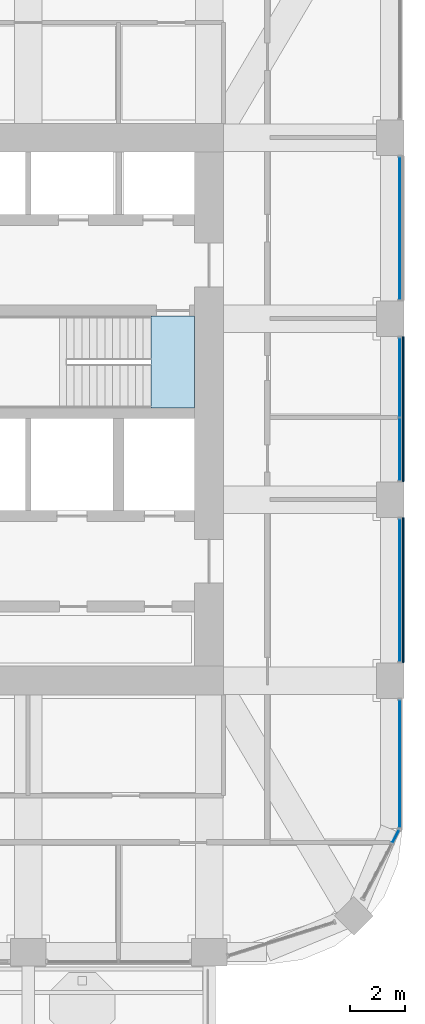
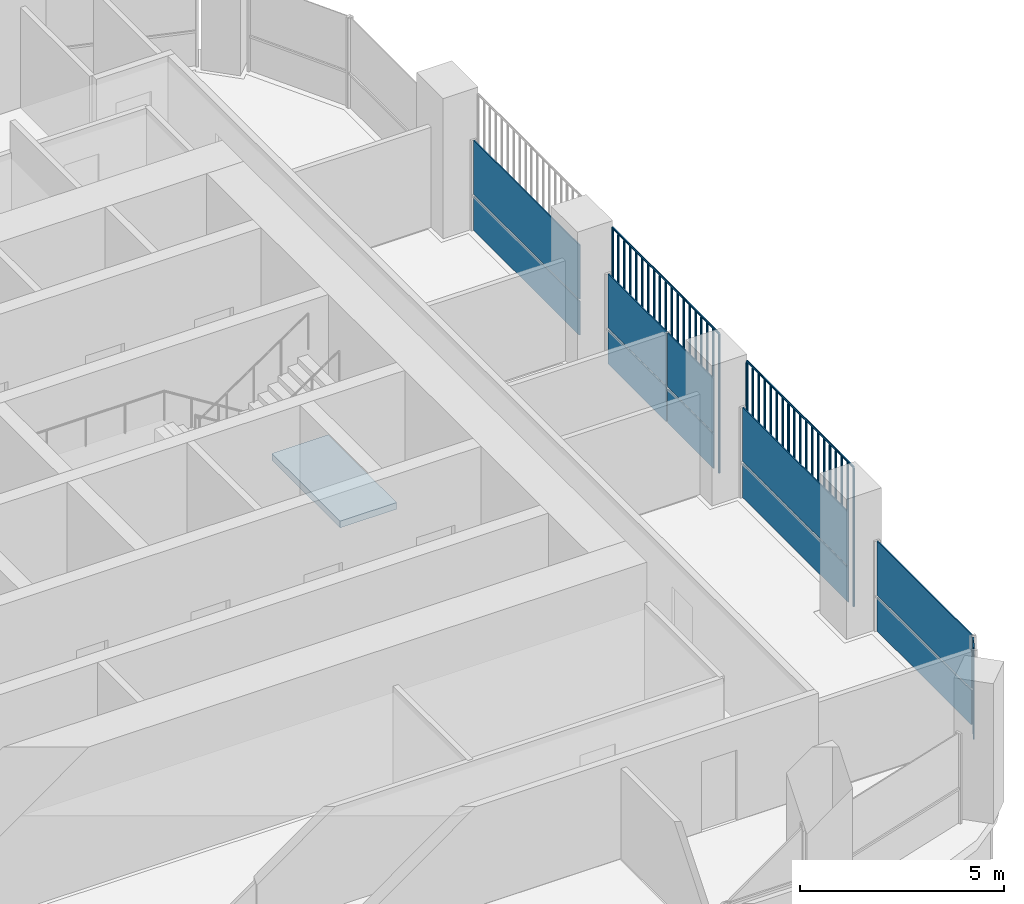
# One storey, part 11 of 21: 14 plates, 1 slab, 6 elements without a shape of their own.
"""IFC4 building model written with IfcOpenShell, lengths in metres."""

import ifcopenshell
import ifcopenshell.guid

model = None  # the IFC model being written
_history = None  # IfcOwnerHistory: only IFC2X3 demands one
_inside = {}  # id of a spatial element -> (the spatial element, [elements in it])
_under = {}  # id of a project, library or spatial element -> (it, [spatial elements below it])
_declared = {}  # id of a project -> (the project, [libraries it declares])
_typed = {}  # id of a type object -> (the type object, [elements of that type])
_made_of = {}  # id of a material, layer set ... -> (it, [elements and type objects made of it])


def new_model(schema):
    """Start an empty IFC model of exactly this schema.

    Asked for "IFC4X3", IfcOpenShell would pick the latest addendum, in which some entities
    have other attributes; the version numbers below select the first issue.
    IFC2X3 requires an IfcOwnerHistory on every rooted entity: one is made here for all.
    """
    global model, _history
    if schema == "IFC4X3":
        model = ifcopenshell.file(schema_version=(4, 3, 0, 0))
    else:
        model = ifcopenshell.file(schema=schema)
    _inside.clear()
    _under.clear()
    _declared.clear()
    _typed.clear()
    _made_of.clear()
    _history = None
    if model.schema == "IFC2X3":
        org = make("IfcOrganization", Name="unknown")
        user = make(
            "IfcPersonAndOrganization",
            ThePerson=make("IfcPerson", FamilyName="unknown"),
            TheOrganization=org,
        )
        app = make(
            "IfcApplication",
            ApplicationDeveloper=org,
            Version="unknown",
            ApplicationFullName="unknown",
            ApplicationIdentifier="unknown",
        )
        _history = make(
            "IfcOwnerHistory",
            OwningUser=user,
            OwningApplication=app,
            ChangeAction="ADDED",
            CreationDate=0,
        )
    return model


def make(cls, **values):
    """One entity of the class cls with the attributes given. An attribute that is None is left unset."""
    return model.create_entity(
        cls, **{name: value for name, value in values.items() if value is not None}
    )


def rooted(cls, **values):
    """An entity with a GlobalId (a new one), such as an element, a storey or a relation."""
    return make(cls, GlobalId=ifcopenshell.guid.new(), OwnerHistory=_history, **values)


def si_unit(unit_type, name, prefix=None):
    """IfcSIUnit, for example si_unit("LENGTHUNIT", "METRE", prefix="MILLI")."""
    return make("IfcSIUnit", UnitType=unit_type, Prefix=prefix, Name=name)


def assignment(units):
    """IfcUnitAssignment: the units of a project."""
    return None if units is None else make("IfcUnitAssignment", Units=units)


def point(xyz):
    """IfcCartesianPoint."""
    return None if xyz is None else make("IfcCartesianPoint", Coordinates=xyz)


def direction(xyz):
    """IfcDirection."""
    return None if xyz is None else make("IfcDirection", DirectionRatios=xyz)


def frame(location, z_axis=None, x_axis=None):
    """IfcAxis2Placement3D, a coordinate frame: its origin and axes. An axis left out is left unset."""
    return make(
        "IfcAxis2Placement3D",
        Location=point(location),
        Axis=direction(z_axis),
        RefDirection=direction(x_axis),
    )


def frame_2d(location, x_axis=None):
    """IfcAxis2Placement2D, a coordinate frame in the plane: its origin and x axis."""
    return make(
        "IfcAxis2Placement2D", Location=point(location), RefDirection=direction(x_axis)
    )


def origin():
    """The frame at (0, 0, 0) with its axes left unset."""
    return frame((0.0, 0.0, 0.0))


def origin_2d():
    """The frame at (0, 0) in the plane with its x axis left unset."""
    return frame_2d((0.0, 0.0))


def place(relative_to, where):
    """IfcLocalPlacement: puts the frame where relative to a parent placement (None: the world)."""
    return make(
        "IfcLocalPlacement", PlacementRelTo=relative_to, RelativePlacement=where
    )


def context(
    kind, dimensions, precision=None, world=None, true_north=None, identifier=None
):
    """IfcGeometricRepresentationContext, for example the 3D "Model" context."""
    return make(
        "IfcGeometricRepresentationContext",
        ContextIdentifier=identifier,
        ContextType=kind,
        CoordinateSpaceDimension=dimensions,
        Precision=precision,
        WorldCoordinateSystem=world,
        TrueNorth=true_north,
    )


def subcontext(parent, identifier, kind, view, scale=None):
    """IfcGeometricRepresentationSubContext, for example "Body" below "Model"."""
    return make(
        "IfcGeometricRepresentationSubContext",
        ContextIdentifier=identifier,
        ContextType=kind,
        ParentContext=parent,
        TargetScale=scale,
        TargetView=view,
    )


def project(units=None, contexts=None):
    """IfcProject with its units and contexts."""
    return rooted(
        "IfcProject",
        Name="project",
        RepresentationContexts=contexts,
        UnitsInContext=assignment(units),
    )


def spatial(cls, under=None, at=None, **own):
    """A site, building, storey or space (cls), placed at a placement, below another one or the project."""
    s = rooted(cls, ObjectPlacement=at, **own)
    if under is not None:
        _under.setdefault(under.id(), (under, []))[1].append(s)
    return s


def polyline(points):
    """IfcPolyline through the points."""
    return make("IfcPolyline", Points=[point(p) for p in points])


def profile(cls, at=None, kind="AREA", **sizes):
    """A parametric profile (cls). Its sizes go by their IFC names, for example OverallWidth=200.0."""
    return make(cls, ProfileType=kind, Position=at, **sizes)


def rectangle(**sizes):
    """IfcRectangleProfileDef."""
    return profile("IfcRectangleProfileDef", **sizes)


def outline(outer, holes=None, kind="AREA"):
    """IfcArbitraryClosedProfileDef: a profile drawn as a closed curve; with holes, ...WithVoids."""
    if holes is None:
        return make("IfcArbitraryClosedProfileDef", ProfileType=kind, OuterCurve=outer)
    return make(
        "IfcArbitraryProfileDefWithVoids",
        ProfileType=kind,
        OuterCurve=outer,
        InnerCurves=holes,
    )


def extrude(swept, where, along, depth):
    """IfcExtrudedAreaSolid: the profile swept, set in the frame where, extruded along a direction by depth."""
    return make(
        "IfcExtrudedAreaSolid",
        SweptArea=swept,
        Position=where,
        ExtrudedDirection=direction(along),
        Depth=depth,
    )


def shape(context_of_items, identifier, shape_type, items):
    """IfcShapeRepresentation: the items that make up one representation, for example the "Body"."""
    return make(
        "IfcShapeRepresentation",
        ContextOfItems=context_of_items,
        RepresentationIdentifier=identifier,
        RepresentationType=shape_type,
        Items=items,
    )


def material(Name=None, Category=None):
    """IfcMaterial."""
    return make("IfcMaterial", Name=Name, Category=Category)


def layer(
    of_material, thickness, ventilated=None, Name=None, Category=None, Priority=None
):
    """IfcMaterialLayer: one layer of a wall or slab, of a material (None: an air gap)."""
    return make(
        "IfcMaterialLayer",
        Material=of_material,
        LayerThickness=thickness,
        IsVentilated=ventilated,
        Name=Name,
        Category=Category,
        Priority=Priority,
    )


def layer_set(layers, Name=None):
    """IfcMaterialLayerSet."""
    return make("IfcMaterialLayerSet", MaterialLayers=layers, LayerSetName=Name)


def made_of(thing, what):
    """Note that an element or type object is made of a material, layer set ...; save() writes the relation."""
    if what is not None:
        _made_of.setdefault(what.id(), (what, []))[1].append(thing)
    return thing


def type_object(cls, material=None, **own):
    """A type object (cls), such as IfcWallType, which elements share."""
    return made_of(rooted(cls, **own), material)


def element(
    cls,
    number,
    at=None,
    inside=None,
    cuts=None,
    type_object=None,
    material=None,
    context=None,
    identifier="Body",
    shape_type=None,
    held_by="IfcProductDefinitionShape",
    body=None,
    shapes=None,
    **own,
):
    """One element of the class cls, such as IfcWall. Its Tag is "e" and its number.

    at: its placement. inside: the storey or other place that contains it. cuts: it is an
    opening in that element (IfcRelVoidsElement). A single representation is given by context,
    identifier, shape_type and body (its items); several are given by shapes. held_by: the class
    of the entity that holds the representations. save() writes the other relations.
    """
    e = rooted(cls, Tag="e%d" % number, ObjectPlacement=at, **own)
    if body is not None:
        shapes = [shape(context, identifier, shape_type, body)]
    if shapes is not None:
        e.Representation = make(held_by, Representations=shapes)
    if inside is not None:
        _inside.setdefault(inside.id(), (inside, []))[1].append(e)
    if cuts is not None:
        rooted(
            "IfcRelVoidsElement", RelatingBuildingElement=cuts, RelatedOpeningElement=e
        )
    if type_object is not None:
        _typed.setdefault(type_object.id(), (type_object, []))[1].append(e)
    return made_of(e, material)


def aggregate(whole, parts):
    """IfcRelAggregates: a whole, such as a stair, and the parts it consists of."""
    return rooted("IfcRelAggregates", RelatingObject=whole, RelatedObjects=parts)


def save(model, path):
    """Write the relations noted so far, then the file.

    IfcRelAggregates (storeys below a building ...), IfcRelContainedInSpatialStructure (elements
    in a storey), IfcRelDefinesByType, IfcRelAssociatesMaterial and IfcRelDeclares: one each for
    every whole, place, type object, material and project.
    """
    for whole, parts in _under.values():
        aggregate(whole, parts)
    for where, things in _inside.values():
        rooted(
            "IfcRelContainedInSpatialStructure",
            RelatedElements=things,
            RelatingStructure=where,
        )
    for kind, things in _typed.values():
        rooted("IfcRelDefinesByType", RelatedObjects=things, RelatingType=kind)
    for what, things in _made_of.values():
        rooted("IfcRelAssociatesMaterial", RelatedObjects=things, RelatingMaterial=what)
    for by, libraries in _declared.values():
        rooted("IfcRelDeclares", RelatingContext=by, RelatedDefinitions=libraries)
    model.write(path)


model = new_model("IFC4")

# Units and contexts
model_context = context("Model", 3, precision=1e-05, world=origin(), true_north=direction((0.0, 1.0)))
body_context = subcontext(model_context, "Body", "Model", "MODEL_VIEW")
ifc_project = project(units=[si_unit("LENGTHUNIT", "METRE"), si_unit("AREAUNIT", "SQUARE_METRE"), si_unit("VOLUMEUNIT", "CUBIC_METRE"), si_unit("PLANEANGLEUNIT", "RADIAN"), si_unit("MASSUNIT", "GRAM", prefix="KILO")], contexts=[model_context])

# Site, building, storey
site_placement = place(None, origin())
site = spatial("IfcSite", under=ifc_project, at=site_placement, CompositionType="ELEMENT")
building_placement = place(site_placement, origin())
building = spatial("IfcBuilding", under=site, at=building_placement, Name="Cobogo Forest Laboratory Tower", CompositionType="ELEMENT")
storey_placement = place(building_placement, frame((0.0, 0.0, 241.800048828125)))
storey = spatial("IfcBuildingStorey", under=building, at=storey_placement, Name="L55", CompositionType="ELEMENT", Elevation=241.800048828125)

# Curtain wall, plates
ifc_material_1 = material(Name="Aluminium curtain wall", Category="aluminium")
curtain_wall_type = type_object("IfcCurtainWallType", Name="CW-2 unitised curtain wall, solar control glazing, laboratory floors zones C and D", PredefinedType="USERDEFINED", material=ifc_material_1)
curtain_wall_1_placement = place(storey_placement, origin())
curtain_wall_1 = element("IfcCurtainWall", 1, at=curtain_wall_1_placement, inside=storey, type_object=curtain_wall_type, Name="Curtain wall 06 L55", ObjectType="UNITISED CURTAIN WALL", PredefinedType="USERDEFINED")
ifc_material_2 = material(Name="Solar control insulated glass", Category="glass")
ifc_layer_1 = layer(ifc_material_2, 0.031982421875)
ifc_layer_set_1 = layer_set([ifc_layer_1], Name="GP-2 solar control glass unit 32")
plate_type_1 = type_object("IfcPlateType", Name="GP-2 solar control glass unit 32", PredefinedType="CURTAIN_PANEL", material=ifc_layer_set_1)
plate_1_placement = place(storey_placement, frame((46.40234375, 7.51806640625, 0.0), z_axis=(0.0, 0.0, 1.0), x_axis=(0.464283791352, 0.885686491422, 0.0)))
plate_1 = element("IfcPlate", 2, at=plate_1_placement, type_object=plate_type_1, Name="CW-2 panel 2.1", PredefinedType="CURTAIN_PANEL", context=body_context, shape_type="SweptSolid", body=[
    extrude(rectangle(XDim=0.516357421875, YDim=0.031982421875, at=origin_2d()), origin(), (0.0, 0.0, 1.0), 1.02001953125),
])
plate_2_placement = place(storey_placement, frame((46.40234375, 7.51806640625, 1.079833984375), z_axis=(0.0, 0.0, 1.0), x_axis=(0.464283791352, 0.885686491422, 0.0)))
plate_2 = element("IfcPlate", 3, at=plate_2_placement, type_object=plate_type_1, Name="CW-2 panel 2.2", PredefinedType="CURTAIN_PANEL", context=body_context, shape_type="SweptSolid", body=[
    extrude(rectangle(XDim=0.516357421875, YDim=0.031982421875, at=origin_2d()), origin(), (0.0, 0.0, 1.0), 1.6201171875),
])
aggregate(curtain_wall_1, [plate_1, plate_2])

curtain_wall_2_placement = place(storey_placement, origin())
curtain_wall_2 = element("IfcCurtainWall", 4, at=curtain_wall_2_placement, inside=storey, type_object=curtain_wall_type, Name="Curtain wall 07 L55", ObjectType="UNITISED CURTAIN WALL", PredefinedType="USERDEFINED")
plate_3_placement = place(storey_placement, frame((46.550048828125, 10.175048828125, 0.0), z_axis=(0.0, 0.0, 1.0), x_axis=(0.0, 1.0, 0.0)))
plate_3 = element("IfcPlate", 5, at=plate_3_placement, type_object=plate_type_1, Name="CW-2 panel 1.1", PredefinedType="CURTAIN_PANEL", context=body_context, shape_type="SweptSolid", body=[
    extrude(rectangle(XDim=4.6298828125, YDim=0.031982421875, at=origin_2d()), origin(), (0.0, 0.0, 1.0), 1.02001953125),
])
plate_4_placement = place(storey_placement, frame((46.550048828125, 10.175048828125, 1.079833984375), z_axis=(0.0, 0.0, 1.0), x_axis=(0.0, 1.0, 0.0)))
plate_4 = element("IfcPlate", 6, at=plate_4_placement, type_object=plate_type_1, Name="CW-2 panel 1.2", PredefinedType="CURTAIN_PANEL", context=body_context, shape_type="SweptSolid", body=[
    extrude(rectangle(XDim=4.6298828125, YDim=0.031982421875, at=origin_2d()), origin(), (0.0, 0.0, 1.0), 1.6201171875),
])
aggregate(curtain_wall_2, [plate_3, plate_4])

curtain_wall_3_placement = place(storey_placement, origin())
curtain_wall_3 = element("IfcCurtainWall", 7, at=curtain_wall_3_placement, inside=storey, type_object=curtain_wall_type, Name="Curtain wall 08 L55", ObjectType="UNITISED CURTAIN WALL", PredefinedType="USERDEFINED")
plate_5_placement = place(storey_placement, frame((46.550048828125, 16.5, 0.0), z_axis=(0.0, 0.0, 1.0), x_axis=(0.0, 1.0, 0.0)))
plate_5 = element("IfcPlate", 8, at=plate_5_placement, type_object=plate_type_1, Name="CW-2 panel 1.1", PredefinedType="CURTAIN_PANEL", context=body_context, shape_type="SweptSolid", body=[
    extrude(rectangle(XDim=5.179931640625, YDim=0.031982421875, at=origin_2d()), origin(), (0.0, 0.0, 1.0), 1.02001953125),
])
plate_6_placement = place(storey_placement, frame((46.550048828125, 16.5, 1.079833984375), z_axis=(0.0, 0.0, 1.0), x_axis=(0.0, 1.0, 0.0)))
plate_6 = element("IfcPlate", 9, at=plate_6_placement, type_object=plate_type_1, Name="CW-2 panel 1.2", PredefinedType="CURTAIN_PANEL", context=body_context, shape_type="SweptSolid", body=[
    extrude(rectangle(XDim=5.179931640625, YDim=0.031982421875, at=origin_2d()), origin(), (0.0, 0.0, 1.0), 1.6201171875),
])
aggregate(curtain_wall_3, [plate_5, plate_6])

curtain_wall_4_placement = place(storey_placement, origin())
curtain_wall_4 = element("IfcCurtainWall", 10, at=curtain_wall_4_placement, inside=storey, type_object=curtain_wall_type, Name="Curtain wall 09 L55", ObjectType="UNITISED CURTAIN WALL", PredefinedType="USERDEFINED")
plate_7_placement = place(storey_placement, frame((46.550048828125, 21.639892578125, 0.0), z_axis=(0.0, 0.0, 1.0), x_axis=(0.0, 1.0, 0.0)))
plate_7 = element("IfcPlate", 11, at=plate_7_placement, type_object=plate_type_1, Name="CW-2 panel 1.1", PredefinedType="CURTAIN_PANEL", context=body_context, shape_type="SweptSolid", body=[
    extrude(rectangle(XDim=2.260009765625, YDim=0.031982421875, at=origin_2d()), origin(), (0.0, 0.0, 1.0), 1.02001953125),
])
plate_8_placement = place(storey_placement, frame((46.550048828125, 21.639892578125, 1.079833984375), z_axis=(0.0, 0.0, 1.0), x_axis=(0.0, 1.0, 0.0)))
plate_8 = element("IfcPlate", 12, at=plate_8_placement, type_object=plate_type_1, Name="CW-2 panel 1.2", PredefinedType="CURTAIN_PANEL", context=body_context, shape_type="SweptSolid", body=[
    extrude(rectangle(XDim=2.260009765625, YDim=0.031982421875, at=origin_2d()), origin(), (0.0, 0.0, 1.0), 1.6201171875),
])
plate_9_placement = place(storey_placement, frame((46.550048828125, 24.260009765625, 0.0), z_axis=(0.0, 0.0, 1.0), x_axis=(0.0, 1.0, 0.0)))
plate_9 = element("IfcPlate", 13, at=plate_9_placement, type_object=plate_type_1, Name="CW-2 panel 2.1", PredefinedType="CURTAIN_PANEL", context=body_context, shape_type="SweptSolid", body=[
    extrude(rectangle(XDim=2.860107421875, YDim=0.031982421875, at=origin_2d()), origin(), (0.0, 0.0, 1.0), 1.02001953125),
])
plate_10_placement = place(storey_placement, frame((46.550048828125, 24.260009765625, 1.079833984375), z_axis=(0.0, 0.0, 1.0), x_axis=(0.0, 1.0, 0.0)))
plate_10 = element("IfcPlate", 14, at=plate_10_placement, type_object=plate_type_1, Name="CW-2 panel 2.2", PredefinedType="CURTAIN_PANEL", context=body_context, shape_type="SweptSolid", body=[
    extrude(rectangle(XDim=2.860107421875, YDim=0.031982421875, at=origin_2d()), origin(), (0.0, 0.0, 1.0), 1.6201171875),
])
aggregate(curtain_wall_4, [plate_7, plate_8, plate_9, plate_10])

curtain_wall_5_placement = place(storey_placement, origin())
curtain_wall_5 = element("IfcCurtainWall", 15, at=curtain_wall_5_placement, inside=storey, type_object=curtain_wall_type, Name="Curtain wall 10 L55", ObjectType="UNITISED CURTAIN WALL", PredefinedType="USERDEFINED")
plate_11_placement = place(storey_placement, frame((46.550048828125, 29.699951171875, 0.0), z_axis=(0.0, 0.0, 1.0), x_axis=(0.0, 1.0, 0.0)))
plate_11 = element("IfcPlate", 16, at=plate_11_placement, type_object=plate_type_1, Name="CW-2 panel 1.1", PredefinedType="CURTAIN_PANEL", context=body_context, shape_type="SweptSolid", body=[
    extrude(rectangle(XDim=5.179931640625, YDim=0.031982421875, at=origin_2d()), origin(), (0.0, 0.0, 1.0), 1.02001953125),
])
plate_12_placement = place(storey_placement, frame((46.550048828125, 29.699951171875, 1.079833984375), z_axis=(0.0, 0.0, 1.0), x_axis=(0.0, 1.0, 0.0)))
plate_12 = element("IfcPlate", 17, at=plate_12_placement, type_object=plate_type_1, Name="CW-2 panel 1.2", PredefinedType="CURTAIN_PANEL", context=body_context, shape_type="SweptSolid", body=[
    extrude(rectangle(XDim=5.179931640625, YDim=0.031982421875, at=origin_2d()), origin(), (0.0, 0.0, 1.0), 1.6201171875),
])
aggregate(curtain_wall_5, [plate_11, plate_12])

# Stair, slab
ifc_material_3 = material(Name="Precast concrete HA-40 (C40/50)", Category="concrete")
stair_type = type_object("IfcStairType", Name="ST24 exit stair 24 risers", PredefinedType="HALF_TURN_STAIR", material=ifc_material_3)
stair_placement = place(storey_placement, origin())
stair = element("IfcStair", 18, at=stair_placement, inside=storey, type_object=stair_type, Name="Stair 2 L55 to L56", PredefinedType="HALF_TURN_STAIR")
ifc_material_4 = material(Name="Concrete HA-40 (C40/50)", Category="concrete")
ifc_layer_2 = layer(ifc_material_4, 0.199951171875)
ifc_layer_set_2 = layer_set([ifc_layer_2], Name="SL stair landing 200")
slab_type = type_object("IfcSlabType", Name="SL stair landing 200", PredefinedType="LANDING", material=ifc_layer_set_2)
slab_placement = place(storey_placement, frame((0.0, 0.0, -0.199951171875)))
slab = element("IfcSlab", 19, at=slab_placement, type_object=slab_type, Name="ST2 landing 1", PredefinedType="LANDING", context=body_context, shape_type="SweptSolid", body=[
    extrude(outline(polyline([(37.472900390625, 23.14990234375), (39.074951171875, 23.14990234375), (39.074951171875, 26.5), (37.472900390625, 26.5), (37.472900390625, 23.14990234375)])), origin(), (0.0, 0.0, 1.0), 0.199951171875),
])
aggregate(stair, [slab])

# Plates
ifc_material_5 = material(Name="Terracotta", Category="masonry")
plate_type_2 = type_object("IfcPlateType", Name="TB1 terracotta baguette screen", PredefinedType="USERDEFINED", material=ifc_material_5)
plate_13_placement = place(storey_placement, frame((46.677978515625, 13.88134765625, -0.150146484375)))
element("IfcPlate", 20, at=plate_13_placement, inside=storey, type_object=plate_type_2, Name="Baguette screen E1 L55", ObjectType="BAGUETTE SCREEN", PredefinedType="USERDEFINED", context=body_context, shape_type="SweptSolid", body=[
    extrude(outline(polyline([(0.02880859375, 0.011962890625), (0.011962890625, 0.02880859375), (-0.011962890625, 0.02880859375), (-0.02880859375, 0.011962890625), (-0.02880859375, -0.011962890625), (-0.011962890625, -0.02880859375), (0.011962890625, -0.02880859375), (0.02880859375, -0.011962890625), (0.02880859375, 0.011962890625)])), frame((0.0, 0.0, 4.168701171875), z_axis=(0.0, 1.0, 0.0), x_axis=(-1.0, 0.0, 0.0)), (0.0, 0.0, 1.0), 5.2373046875),
    extrude(outline(polyline([(0.02880859375, 0.011962890625), (0.011962890625, 0.02880859375), (-0.011962890625, 0.02880859375), (-0.02880859375, 0.011962890625), (-0.02880859375, -0.011962890625), (-0.011962890625, -0.02880859375), (0.011962890625, -0.02880859375), (0.02880859375, -0.011962890625), (0.02880859375, 0.011962890625)])), origin(), (0.0, 0.0, 1.0), 4.137451171875),
    extrude(outline(polyline([(0.02880859375, 0.011962890625), (0.011962890625, 0.02880859375), (-0.011962890625, 0.02880859375), (-0.02880859375, 0.011962890625), (-0.02880859375, -0.011962890625), (-0.011962890625, -0.02880859375), (0.011962890625, -0.02880859375), (0.02880859375, -0.011962890625), (0.02880859375, 0.011962890625)])), frame((0.0, 0.291015625, 0.0)), (0.0, 0.0, 1.0), 4.137451171875),
    extrude(outline(polyline([(0.02880859375, 0.011962890625), (0.011962890625, 0.02880859375), (-0.011962890625, 0.02880859375), (-0.02880859375, 0.011962890625), (-0.02880859375, -0.011962890625), (-0.011962890625, -0.02880859375), (0.011962890625, -0.02880859375), (0.02880859375, -0.011962890625), (0.02880859375, 0.011962890625)])), frame((0.0, 0.58203125, 0.0)), (0.0, 0.0, 1.0), 4.137451171875),
    extrude(outline(polyline([(0.02880859375, 0.011962890625), (0.011962890625, 0.02880859375), (-0.011962890625, 0.02880859375), (-0.02880859375, 0.011962890625), (-0.02880859375, -0.011962890625), (-0.011962890625, -0.02880859375), (0.011962890625, -0.02880859375), (0.02880859375, -0.011962890625), (0.02880859375, 0.011962890625)])), frame((0.0, 0.872802734375, 0.0)), (0.0, 0.0, 1.0), 4.137451171875),
    extrude(outline(polyline([(0.02880859375, 0.011962890625), (0.011962890625, 0.02880859375), (-0.011962890625, 0.02880859375), (-0.02880859375, 0.011962890625), (-0.02880859375, -0.011962890625), (-0.011962890625, -0.02880859375), (0.011962890625, -0.02880859375), (0.02880859375, -0.011962890625), (0.02880859375, 0.011962890625)])), frame((0.0, 1.163818359375, 0.0)), (0.0, 0.0, 1.0), 4.137451171875),
    extrude(outline(polyline([(0.02880859375, 0.011962890625), (0.011962890625, 0.02880859375), (-0.011962890625, 0.02880859375), (-0.02880859375, 0.011962890625), (-0.02880859375, -0.011962890625), (-0.011962890625, -0.02880859375), (0.011962890625, -0.02880859375), (0.02880859375, -0.011962890625), (0.02880859375, 0.011962890625)])), frame((0.0, 1.454833984375, 0.0)), (0.0, 0.0, 1.0), 4.137451171875),
    extrude(outline(polyline([(0.02880859375, 0.011962890625), (0.011962890625, 0.02880859375), (-0.011962890625, 0.02880859375), (-0.02880859375, 0.011962890625), (-0.02880859375, -0.011962890625), (-0.011962890625, -0.02880859375), (0.011962890625, -0.02880859375), (0.02880859375, -0.011962890625), (0.02880859375, 0.011962890625)])), frame((0.0, 1.745849609375, 0.0)), (0.0, 0.0, 1.0), 4.137451171875),
    extrude(outline(polyline([(0.02880859375, 0.011962890625), (0.011962890625, 0.02880859375), (-0.011962890625, 0.02880859375), (-0.02880859375, 0.011962890625), (-0.02880859375, -0.011962890625), (-0.011962890625, -0.02880859375), (0.011962890625, -0.02880859375), (0.02880859375, -0.011962890625), (0.02880859375, 0.011962890625)])), frame((0.0, 2.03662109375, 0.0)), (0.0, 0.0, 1.0), 4.137451171875),
    extrude(outline(polyline([(0.02880859375, 0.011962890625), (0.011962890625, 0.02880859375), (-0.011962890625, 0.02880859375), (-0.02880859375, 0.011962890625), (-0.02880859375, -0.011962890625), (-0.011962890625, -0.02880859375), (0.011962890625, -0.02880859375), (0.02880859375, -0.011962890625), (0.02880859375, 0.011962890625)])), frame((0.0, 2.32763671875, 0.0)), (0.0, 0.0, 1.0), 4.137451171875),
    extrude(outline(polyline([(0.02880859375, 0.011962890625), (0.011962890625, 0.02880859375), (-0.011962890625, 0.02880859375), (-0.02880859375, 0.011962890625), (-0.02880859375, -0.011962890625), (-0.011962890625, -0.02880859375), (0.011962890625, -0.02880859375), (0.02880859375, -0.011962890625), (0.02880859375, 0.011962890625)])), frame((0.0, 2.61865234375, 0.0)), (0.0, 0.0, 1.0), 4.137451171875),
    extrude(outline(polyline([(0.02880859375, 0.011962890625), (0.011962890625, 0.02880859375), (-0.011962890625, 0.02880859375), (-0.02880859375, 0.011962890625), (-0.02880859375, -0.011962890625), (-0.011962890625, -0.02880859375), (0.011962890625, -0.02880859375), (0.02880859375, -0.011962890625), (0.02880859375, 0.011962890625)])), frame((0.0, 2.90966796875, 0.0)), (0.0, 0.0, 1.0), 4.137451171875),
    extrude(outline(polyline([(0.02880859375, 0.011962890625), (0.011962890625, 0.02880859375), (-0.011962890625, 0.02880859375), (-0.02880859375, 0.011962890625), (-0.02880859375, -0.011962890625), (-0.011962890625, -0.02880859375), (0.011962890625, -0.02880859375), (0.02880859375, -0.011962890625), (0.02880859375, 0.011962890625)])), frame((0.0, 3.20068359375, 0.0)), (0.0, 0.0, 1.0), 4.137451171875),
    extrude(outline(polyline([(0.02880859375, 0.011962890625), (0.011962890625, 0.02880859375), (-0.011962890625, 0.02880859375), (-0.02880859375, 0.011962890625), (-0.02880859375, -0.011962890625), (-0.011962890625, -0.02880859375), (0.011962890625, -0.02880859375), (0.02880859375, -0.011962890625), (0.02880859375, 0.011962890625)])), frame((0.0, 3.491455078125, 0.0)), (0.0, 0.0, 1.0), 4.137451171875),
    extrude(outline(polyline([(0.02880859375, 0.011962890625), (0.011962890625, 0.02880859375), (-0.011962890625, 0.02880859375), (-0.02880859375, 0.011962890625), (-0.02880859375, -0.011962890625), (-0.011962890625, -0.02880859375), (0.011962890625, -0.02880859375), (0.02880859375, -0.011962890625), (0.02880859375, 0.011962890625)])), frame((0.0, 3.782470703125, 0.0)), (0.0, 0.0, 1.0), 4.137451171875),
    extrude(outline(polyline([(0.02880859375, 0.011962890625), (0.011962890625, 0.02880859375), (-0.011962890625, 0.02880859375), (-0.02880859375, 0.011962890625), (-0.02880859375, -0.011962890625), (-0.011962890625, -0.02880859375), (0.011962890625, -0.02880859375), (0.02880859375, -0.011962890625), (0.02880859375, 0.011962890625)])), frame((0.0, 4.073486328125, 0.0)), (0.0, 0.0, 1.0), 4.137451171875),
    extrude(outline(polyline([(0.02880859375, 0.011962890625), (0.011962890625, 0.02880859375), (-0.011962890625, 0.02880859375), (-0.02880859375, 0.011962890625), (-0.02880859375, -0.011962890625), (-0.011962890625, -0.02880859375), (0.011962890625, -0.02880859375), (0.02880859375, -0.011962890625), (0.02880859375, 0.011962890625)])), frame((0.0, 4.364501953125, 0.0)), (0.0, 0.0, 1.0), 4.137451171875),
    extrude(outline(polyline([(0.02880859375, 0.011962890625), (0.011962890625, 0.02880859375), (-0.011962890625, 0.02880859375), (-0.02880859375, 0.011962890625), (-0.02880859375, -0.011962890625), (-0.011962890625, -0.02880859375), (0.011962890625, -0.02880859375), (0.02880859375, -0.011962890625), (0.02880859375, 0.011962890625)])), frame((0.0, 4.6552734375, 0.0)), (0.0, 0.0, 1.0), 4.137451171875),
    extrude(outline(polyline([(0.02880859375, 0.011962890625), (0.011962890625, 0.02880859375), (-0.011962890625, 0.02880859375), (-0.02880859375, 0.011962890625), (-0.02880859375, -0.011962890625), (-0.011962890625, -0.02880859375), (0.011962890625, -0.02880859375), (0.02880859375, -0.011962890625), (0.02880859375, 0.011962890625)])), frame((0.0, 4.9462890625, 0.0)), (0.0, 0.0, 1.0), 4.137451171875),
    extrude(outline(polyline([(0.02880859375, 0.011962890625), (0.011962890625, 0.02880859375), (-0.011962890625, 0.02880859375), (-0.02880859375, 0.011962890625), (-0.02880859375, -0.011962890625), (-0.011962890625, -0.02880859375), (0.011962890625, -0.02880859375), (0.02880859375, -0.011962890625), (0.02880859375, 0.011962890625)])), frame((0.0, 5.2373046875, 0.0)), (0.0, 0.0, 1.0), 4.137451171875),
])
plate_14_placement = place(storey_placement, frame((46.677978515625, 20.481201171875, -0.150146484375)))
element("IfcPlate", 21, at=plate_14_placement, inside=storey, type_object=plate_type_2, Name="Baguette screen E2 L55", ObjectType="BAGUETTE SCREEN", PredefinedType="USERDEFINED", context=body_context, shape_type="SweptSolid", body=[
    extrude(outline(polyline([(0.02880859375, 0.011962890625), (0.011962890625, 0.02880859375), (-0.011962890625, 0.02880859375), (-0.02880859375, 0.011962890625), (-0.02880859375, -0.011962890625), (-0.011962890625, -0.02880859375), (0.011962890625, -0.02880859375), (0.02880859375, -0.011962890625), (0.02880859375, 0.011962890625)])), frame((0.0, 0.0, 4.168701171875), z_axis=(0.0, 1.0, 0.0), x_axis=(-1.0, 0.0, 0.0)), (0.0, 0.0, 1.0), 5.237548828125),
    extrude(outline(polyline([(0.02880859375, 0.011962890625), (0.011962890625, 0.02880859375), (-0.011962890625, 0.02880859375), (-0.02880859375, 0.011962890625), (-0.02880859375, -0.011962890625), (-0.011962890625, -0.02880859375), (0.011962890625, -0.02880859375), (0.02880859375, -0.011962890625), (0.02880859375, 0.011962890625)])), origin(), (0.0, 0.0, 1.0), 4.137451171875),
    extrude(outline(polyline([(0.02880859375, 0.011962890625), (0.011962890625, 0.02880859375), (-0.011962890625, 0.02880859375), (-0.02880859375, 0.011962890625), (-0.02880859375, -0.011962890625), (-0.011962890625, -0.02880859375), (0.011962890625, -0.02880859375), (0.02880859375, -0.011962890625), (0.02880859375, 0.011962890625)])), frame((0.0, 0.291015625, 0.0)), (0.0, 0.0, 1.0), 4.137451171875),
    extrude(outline(polyline([(0.02880859375, 0.011962890625), (0.011962890625, 0.02880859375), (-0.011962890625, 0.02880859375), (-0.02880859375, 0.011962890625), (-0.02880859375, -0.011962890625), (-0.011962890625, -0.02880859375), (0.011962890625, -0.02880859375), (0.02880859375, -0.011962890625), (0.02880859375, 0.011962890625)])), frame((0.0, 0.58203125, 0.0)), (0.0, 0.0, 1.0), 4.137451171875),
    extrude(outline(polyline([(0.02880859375, 0.011962890625), (0.011962890625, 0.02880859375), (-0.011962890625, 0.02880859375), (-0.02880859375, 0.011962890625), (-0.02880859375, -0.011962890625), (-0.011962890625, -0.02880859375), (0.011962890625, -0.02880859375), (0.02880859375, -0.011962890625), (0.02880859375, 0.011962890625)])), frame((0.0, 0.873046875, 0.0)), (0.0, 0.0, 1.0), 4.137451171875),
    extrude(outline(polyline([(0.02880859375, 0.011962890625), (0.011962890625, 0.02880859375), (-0.011962890625, 0.02880859375), (-0.02880859375, 0.011962890625), (-0.02880859375, -0.011962890625), (-0.011962890625, -0.02880859375), (0.011962890625, -0.02880859375), (0.02880859375, -0.011962890625), (0.02880859375, 0.011962890625)])), frame((0.0, 1.163818359375, 0.0)), (0.0, 0.0, 1.0), 4.137451171875),
    extrude(outline(polyline([(0.02880859375, 0.011962890625), (0.011962890625, 0.02880859375), (-0.011962890625, 0.02880859375), (-0.02880859375, 0.011962890625), (-0.02880859375, -0.011962890625), (-0.011962890625, -0.02880859375), (0.011962890625, -0.02880859375), (0.02880859375, -0.011962890625), (0.02880859375, 0.011962890625)])), frame((0.0, 1.454833984375, 0.0)), (0.0, 0.0, 1.0), 4.137451171875),
    extrude(outline(polyline([(0.02880859375, 0.011962890625), (0.011962890625, 0.02880859375), (-0.011962890625, 0.02880859375), (-0.02880859375, 0.011962890625), (-0.02880859375, -0.011962890625), (-0.011962890625, -0.02880859375), (0.011962890625, -0.02880859375), (0.02880859375, -0.011962890625), (0.02880859375, 0.011962890625)])), frame((0.0, 1.745849609375, 0.0)), (0.0, 0.0, 1.0), 4.137451171875),
    extrude(outline(polyline([(0.02880859375, 0.011962890625), (0.011962890625, 0.02880859375), (-0.011962890625, 0.02880859375), (-0.02880859375, 0.011962890625), (-0.02880859375, -0.011962890625), (-0.011962890625, -0.02880859375), (0.011962890625, -0.02880859375), (0.02880859375, -0.011962890625), (0.02880859375, 0.011962890625)])), frame((0.0, 2.036865234375, 0.0)), (0.0, 0.0, 1.0), 4.137451171875),
    extrude(outline(polyline([(0.02880859375, 0.011962890625), (0.011962890625, 0.02880859375), (-0.011962890625, 0.02880859375), (-0.02880859375, 0.011962890625), (-0.02880859375, -0.011962890625), (-0.011962890625, -0.02880859375), (0.011962890625, -0.02880859375), (0.02880859375, -0.011962890625), (0.02880859375, 0.011962890625)])), frame((0.0, 2.327880859375, 0.0)), (0.0, 0.0, 1.0), 4.137451171875),
    extrude(outline(polyline([(0.02880859375, 0.011962890625), (0.011962890625, 0.02880859375), (-0.011962890625, 0.02880859375), (-0.02880859375, 0.011962890625), (-0.02880859375, -0.011962890625), (-0.011962890625, -0.02880859375), (0.011962890625, -0.02880859375), (0.02880859375, -0.011962890625), (0.02880859375, 0.011962890625)])), frame((0.0, 2.61865234375, 0.0)), (0.0, 0.0, 1.0), 4.137451171875),
    extrude(outline(polyline([(0.02880859375, 0.011962890625), (0.011962890625, 0.02880859375), (-0.011962890625, 0.02880859375), (-0.02880859375, 0.011962890625), (-0.02880859375, -0.011962890625), (-0.011962890625, -0.02880859375), (0.011962890625, -0.02880859375), (0.02880859375, -0.011962890625), (0.02880859375, 0.011962890625)])), frame((0.0, 2.90966796875, 0.0)), (0.0, 0.0, 1.0), 4.137451171875),
    extrude(outline(polyline([(0.02880859375, 0.011962890625), (0.011962890625, 0.02880859375), (-0.011962890625, 0.02880859375), (-0.02880859375, 0.011962890625), (-0.02880859375, -0.011962890625), (-0.011962890625, -0.02880859375), (0.011962890625, -0.02880859375), (0.02880859375, -0.011962890625), (0.02880859375, 0.011962890625)])), frame((0.0, 3.20068359375, 0.0)), (0.0, 0.0, 1.0), 4.137451171875),
    extrude(outline(polyline([(0.02880859375, 0.011962890625), (0.011962890625, 0.02880859375), (-0.011962890625, 0.02880859375), (-0.02880859375, 0.011962890625), (-0.02880859375, -0.011962890625), (-0.011962890625, -0.02880859375), (0.011962890625, -0.02880859375), (0.02880859375, -0.011962890625), (0.02880859375, 0.011962890625)])), frame((0.0, 3.49169921875, 0.0)), (0.0, 0.0, 1.0), 4.137451171875),
    extrude(outline(polyline([(0.02880859375, 0.011962890625), (0.011962890625, 0.02880859375), (-0.011962890625, 0.02880859375), (-0.02880859375, 0.011962890625), (-0.02880859375, -0.011962890625), (-0.011962890625, -0.02880859375), (0.011962890625, -0.02880859375), (0.02880859375, -0.011962890625), (0.02880859375, 0.011962890625)])), frame((0.0, 3.78271484375, 0.0)), (0.0, 0.0, 1.0), 4.137451171875),
    extrude(outline(polyline([(0.02880859375, 0.011962890625), (0.011962890625, 0.02880859375), (-0.011962890625, 0.02880859375), (-0.02880859375, 0.011962890625), (-0.02880859375, -0.011962890625), (-0.011962890625, -0.02880859375), (0.011962890625, -0.02880859375), (0.02880859375, -0.011962890625), (0.02880859375, 0.011962890625)])), frame((0.0, 4.07373046875, 0.0)), (0.0, 0.0, 1.0), 4.137451171875),
    extrude(outline(polyline([(0.02880859375, 0.011962890625), (0.011962890625, 0.02880859375), (-0.011962890625, 0.02880859375), (-0.02880859375, 0.011962890625), (-0.02880859375, -0.011962890625), (-0.011962890625, -0.02880859375), (0.011962890625, -0.02880859375), (0.02880859375, -0.011962890625), (0.02880859375, 0.011962890625)])), frame((0.0, 4.36474609375, 0.0)), (0.0, 0.0, 1.0), 4.137451171875),
    extrude(outline(polyline([(0.02880859375, 0.011962890625), (0.011962890625, 0.02880859375), (-0.011962890625, 0.02880859375), (-0.02880859375, 0.011962890625), (-0.02880859375, -0.011962890625), (-0.011962890625, -0.02880859375), (0.011962890625, -0.02880859375), (0.02880859375, -0.011962890625), (0.02880859375, 0.011962890625)])), frame((0.0, 4.655517578125, 0.0)), (0.0, 0.0, 1.0), 4.137451171875),
    extrude(outline(polyline([(0.02880859375, 0.011962890625), (0.011962890625, 0.02880859375), (-0.011962890625, 0.02880859375), (-0.02880859375, 0.011962890625), (-0.02880859375, -0.011962890625), (-0.011962890625, -0.02880859375), (0.011962890625, -0.02880859375), (0.02880859375, -0.011962890625), (0.02880859375, 0.011962890625)])), frame((0.0, 4.946533203125, 0.0)), (0.0, 0.0, 1.0), 4.137451171875),
    extrude(outline(polyline([(0.02880859375, 0.011962890625), (0.011962890625, 0.02880859375), (-0.011962890625, 0.02880859375), (-0.02880859375, 0.011962890625), (-0.02880859375, -0.011962890625), (-0.011962890625, -0.02880859375), (0.011962890625, -0.02880859375), (0.02880859375, -0.011962890625), (0.02880859375, 0.011962890625)])), frame((0.0, 5.237548828125, 0.0)), (0.0, 0.0, 1.0), 4.137451171875),
])

save(model, "model.ifc")
